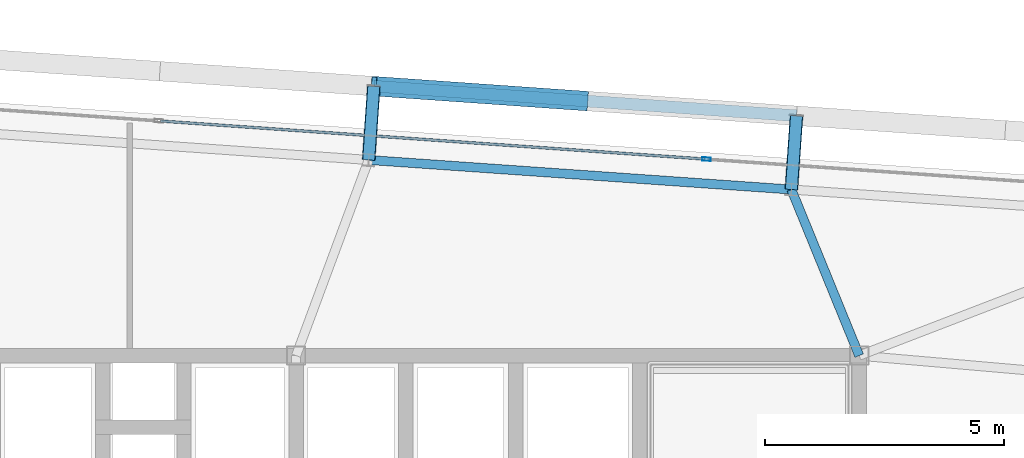
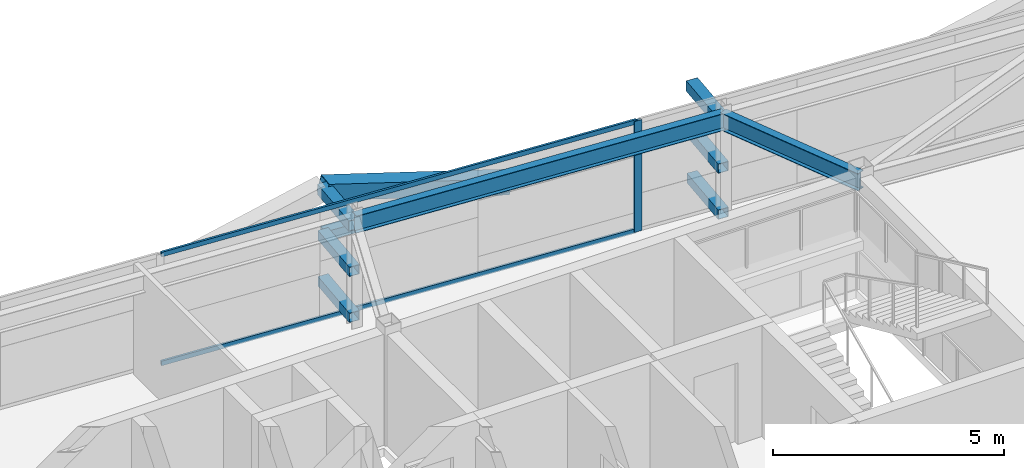
# One storey, part 23 of 39: 11 members, 2 beams, 1 element without a shape of its own.
"""IFC4 building model written with IfcOpenShell, lengths in metres."""

from ifc_helpers import new_model, si_unit, direction, frame, origin, origin_2d, place, context, subcontext, project, spatial, hollow_rectangle, i_section, extrude, source, transform, mapped, material, layer, layer_set, material_profile, profile_set, type_object, element, aggregate, save


model = new_model("IFC4")

# Units and contexts
model_context = context("Model", 3, precision=1e-05, world=origin(), true_north=direction((0.0, 1.0)))
body_context = subcontext(model_context, "Body", "Model", "MODEL_VIEW")
ifc_project = project(units=[si_unit("LENGTHUNIT", "METRE"), si_unit("AREAUNIT", "SQUARE_METRE"), si_unit("VOLUMEUNIT", "CUBIC_METRE"), si_unit("PLANEANGLEUNIT", "RADIAN"), si_unit("MASSUNIT", "GRAM", prefix="KILO")], contexts=[model_context])

# Site, building, storey
site_placement = place(None, origin())
site = spatial("IfcSite", under=ifc_project, at=site_placement, CompositionType="ELEMENT")
building_placement = place(site_placement, origin())
building = spatial("IfcBuilding", under=site, at=building_placement, Name="Taldren Reach Tower", CompositionType="ELEMENT")
storey_placement = place(building_placement, frame((0.0, 0.0, 120.39990234375)))
storey = spatial("IfcBuildingStorey", under=building, at=storey_placement, Name="L36", CompositionType="ELEMENT", Elevation=120.39990234375)

# Members
ifc_material_1 = material(Name="Steel Gr 450 (C450L0)", Category="steel")
ifc_material_profile_1 = material_profile(ifc_material_1, hollow_rectangle(XDim=0.27490234375, YDim=0.27490234375, WallThickness=0.00927734375, at=origin_2d()), Name="275x275x9.3SHS")
ifc_profile_set_1 = profile_set([ifc_material_profile_1], Name="Steel Gr 450 (C450L0)")
member_type_1 = type_object("IfcMemberType", Name="MB-TIE273", PredefinedType="STRUT", material=ifc_profile_set_1)
shared_shape_1 = source(origin(), body_context, "Body", "SweptSolid", [
    extrude(hollow_rectangle(XDim=0.27490234375, YDim=0.27490234375, WallThickness=0.00927734375, at=origin_2d()), origin(), (0.0, 0.0, 1.0), 1.550048828125),
])
for number, where, z_axis, x_axis, name in (
    (1, (40.7197265625, 36.100341796875, 2.650146484375), (0.06976957191, 0.99756313426, 0.0), (-0.99756313426, 0.06976957191, 0.0), "Exoskeleton diaphragm tie strut B3-N4 L36"),
    (2, (49.578125, 35.48095703125, 2.650146484375), (0.06976957191, 0.99756313426, 0.0), (-0.99756313426, 0.06976957191, 0.0), "Exoskeleton diaphragm tie strut B3-N5 L36"),
):
    element("IfcMember", number, at=place(storey_placement, frame(where, z_axis=z_axis, x_axis=x_axis)), inside=storey, type_object=member_type_1, Name=name, PredefinedType="STRUT", context=body_context, shape_type="MappedRepresentation", body=[
        mapped(shared_shape_1, transform((0.0, 0.0, 0.0), scale=1.0)),
    ])
ifc_material_2 = material(Name="Steel Gr 350 (C350L0)", Category="steel")
ifc_material_profile_2 = material_profile(ifc_material_2, hollow_rectangle(XDim=0.25, YDim=0.25, WallThickness=0.010009765625, at=origin_2d()), Name="250x250x10.0SHS")
ifc_profile_set_2 = profile_set([ifc_material_profile_2], Name="Steel Gr 350 (C350L0)")
member_type_2 = type_object("IfcMemberType", Name="MB-POST250", PredefinedType="POST", material=ifc_profile_set_2)
shared_shape_2 = source(origin(), body_context, "Body", "SweptSolid", [
    extrude(hollow_rectangle(XDim=0.25, YDim=0.25, WallThickness=0.010009765625, at=origin_2d()), origin(), (0.0, 0.0, 1.0), 1.550048828125),
])
for number, where, z_axis, x_axis, name in (
    (3, (40.7197265625, 36.100341796875, 0.22021484375), (0.06976957191, 0.99756313426, 0.0), (-0.99756313426, 0.06976957191, 0.0), "Exoskeleton base diaphragm tie strut B3-N4 L36"),
    (4, (49.578125, 35.48095703125, 0.22021484375), (0.06976957191, 0.99756313426, 0.0), (-0.99756313426, 0.06976957191, 0.0), "Exoskeleton base diaphragm tie strut B3-N5 L36"),
    (5, (40.7197265625, 36.100341796875, 1.43505859375), (0.06976957191, 0.99756313426, 0.0), (-0.99756313426, 0.06976957191, 0.0), "Exoskeleton mid-tier diaphragm tie B3-N4 L36"),
    (6, (49.578125, 35.48095703125, 1.43505859375), (0.06976957191, 0.99756313426, 0.0), (-0.99756313426, 0.06976957191, 0.0), "Exoskeleton mid-tier diaphragm tie B3-N5 L36"),
):
    element("IfcMember", number, at=place(storey_placement, frame(where, z_axis=z_axis, x_axis=x_axis)), inside=storey, type_object=member_type_2, Name=name, PredefinedType="POST", context=body_context, shape_type="MappedRepresentation", body=[
        mapped(shared_shape_2, transform((0.0, 0.0, 0.0), scale=1.0)),
    ])

# Beams
ifc_material_3 = material(Name="Steel Gr 350 (350PLUS)", Category="steel")
ifc_material_profile_3 = material_profile(ifc_material_3, i_section(OverallWidth=0.18994140625, OverallDepth=0.4541015625, WebThickness=0.008544921875, FlangeThickness=0.0126953125, at=origin_2d()), Name="460UB67.1")
ifc_profile_set_3 = profile_set([ifc_material_profile_3], Name="Steel Gr 350 (350PLUS)")
beam_type_1 = type_object("IfcBeamType", Name="SP-UB460B", PredefinedType="SPANDREL", material=ifc_profile_set_3)
shared_shape_3 = source(origin(), body_context, "Body", "SweptSolid", [
    extrude(i_section(OverallWidth=0.18994140625, OverallDepth=0.4541015625, WebThickness=0.008544921875, FlangeThickness=0.0126953125, at=origin_2d()), origin(), (0.0, 0.0, 1.0), 8.880126953125),
])
beam_1_placement = place(storey_placement, frame((49.578125, 35.48095703125, 2.703125), z_axis=(-0.997564479639, 0.069750333063, 0.0), x_axis=(-0.069750333063, -0.997564479639, 0.0)))
element("IfcBeam", 7, at=beam_1_placement, inside=storey, type_object=beam_type_1, Name="Perimeter spandrel B3 N5-N4 L36", PredefinedType="SPANDREL", context=body_context, shape_type="MappedRepresentation", body=[
    mapped(shared_shape_3, transform((0.0, 0.0, 0.0), scale=1.0)),
])
ifc_material_profile_4 = material_profile(ifc_material_3, i_section(OverallWidth=0.19091796875, OverallDepth=0.4599609375, WebThickness=0.010009765625, FlangeThickness=0.01611328125, at=origin_2d()), Name="460UB82.1")
ifc_profile_set_4 = profile_set([ifc_material_profile_4], Name="Steel Gr 350 (350PLUS)")
beam_type_2 = type_object("IfcBeamType", Name="BM-UB460A", PredefinedType="BEAM", material=ifc_profile_set_4)
shared_shape_4 = source(origin(), body_context, "Body", "SweptSolid", [
    extrude(i_section(OverallWidth=0.19091796875, OverallDepth=0.4599609375, WebThickness=0.010009765625, FlangeThickness=0.01611328125, at=origin_2d()), origin(), (0.0, 0.0, 1.0), 3.76025390625),
])
beam_2_placement = place(storey_placement, frame((51.0, 32.0, 2.7001953125), z_axis=(-0.37814232545, 0.925747471886, 0.0), x_axis=(-0.925747471886, -0.37814232545, 0.0)))
element("IfcBeam", 8, at=beam_2_placement, inside=storey, type_object=beam_type_2, Name="Primary floor girder B3-N5 L36", PredefinedType="BEAM", context=body_context, shape_type="MappedRepresentation", body=[
    mapped(shared_shape_4, transform((0.0, 0.0, 0.0), scale=1.0)),
])

# Members
shared_shape_5 = source(origin(), body_context, "Body", "SweptSolid", [
    extrude(hollow_rectangle(XDim=0.25, YDim=0.25, WallThickness=0.010009765625, at=origin_2d()), origin(), (0.0, 0.0, 1.0), 8.880126953125),
])
member_1_placement = place(storey_placement, frame((40.827880859375, 37.646728515625, 1.43505859375), z_axis=(0.997564479639, -0.069750333063, 0.0), x_axis=(0.069750333063, 0.997564479639, 0.0)))
element("IfcMember", 9, at=member_1_placement, inside=storey, type_object=member_type_2, Name="Exoskeleton mid-height ring chord B3-N4 L36", PredefinedType="POST", context=body_context, shape_type="MappedRepresentation", body=[
    mapped(shared_shape_5, transform((0.0, 0.0, 0.0), scale=1.0)),
])
ifc_material_profile_5 = material_profile(ifc_material_1, hollow_rectangle(XDim=0.409912109375, YDim=0.409912109375, WallThickness=0.01611328125, at=origin_2d()), Name="410x410x16.0SHS")
ifc_profile_set_5 = profile_set([ifc_material_profile_5], Name="Steel Gr 450 (C450L0)")
member_type_3 = type_object("IfcMemberType", Name="MB-EXO406", PredefinedType="BRACE", material=ifc_profile_set_5)
shared_shape_6 = source(origin(), body_context, "Body", "SweptSolid", [
    extrude(hollow_rectangle(XDim=0.409912109375, YDim=0.409912109375, WallThickness=0.01611328125, at=origin_2d()), origin(), (0.0, 0.0, 1.0), 4.603271484375),
])
member_2_placement = place(storey_placement, frame((45.257080078125, 37.3369140625, 1.43505859375), z_axis=(-0.962182351074, 0.067302910567, 0.263961060594), x_axis=(-0.06977769246, -0.997562566276, 0.0)))
element("IfcMember", 10, at=member_2_placement, inside=storey, type_object=member_type_3, Name="Exoskeleton Diagrid Brace B3-N4 L36", PredefinedType="BRACE", context=body_context, shape_type="MappedRepresentation", body=[
    mapped(shared_shape_6, transform((0.0, 0.0, 0.0), scale=1.0)),
])

# Curtain wall, members
ifc_material_4 = material(Name="Aluminium and Low-E Glass Unitised System", Category="aluminium")
ifc_layer = layer(ifc_material_4, 0.159912109375)
ifc_layer_set = layer_set([ifc_layer], Name="Aluminium and Low-E Glass Unitised System")
curtain_wall_type = type_object("IfcCurtainWallType", Name="CW-SYS-4", PredefinedType="NOTDEFINED", material=ifc_layer_set)
curtain_wall_placement = place(storey_placement, origin())
curtain_wall = element("IfcCurtainWall", 11, at=curtain_wall_placement, inside=storey, type_object=curtain_wall_type, Name="Unitised curtain wall CW-L36-N", PredefinedType="NOTDEFINED")
ifc_material_5 = material(Name="Anodised Aluminium 6063-T6", Category="aluminium")
ifc_material_profile_6 = material_profile(ifc_material_5, hollow_rectangle(XDim=0.070068359375, YDim=0.179931640625, WallThickness=0.00390625, at=origin_2d()), Name="ALU-180x70x4RHS")
ifc_profile_set_6 = profile_set([ifc_material_profile_6], Name="Anodised Aluminium 6063-T6")
member_type_4 = type_object("IfcMemberType", Name="CW-MUL-180", PredefinedType="MULLION", material=ifc_profile_set_6)
shared_shape_7 = source(origin(), body_context, "Body", "SweptSolid", [
    extrude(hollow_rectangle(XDim=0.070068359375, YDim=0.179931640625, WallThickness=0.00390625, at=origin_2d()), origin(), (0.0, 0.0, 1.0), 2.93017578125),
])
member_3_placement = place(storey_placement, frame((47.798095703125, 36.11669921875, 0.0), z_axis=(0.0, 0.0, 1.0), x_axis=(-0.06975651593, -0.99756404731, 0.0)))
member_3 = element("IfcMember", 12, at=member_3_placement, type_object=member_type_4, Name="CW-4 mullion 2", PredefinedType="MULLION", context=body_context, shape_type="MappedRepresentation", body=[
    mapped(shared_shape_7, transform((0.0, 0.0, 0.0), scale=1.0)),
])
ifc_material_profile_7 = material_profile(ifc_material_5, hollow_rectangle(XDim=0.054931640625, YDim=0.1201171875, WallThickness=0.0029296875, at=origin_2d()), Name="ALU-120x55x3RHS")
ifc_profile_set_7 = profile_set([ifc_material_profile_7], Name="Anodised Aluminium 6063-T6")
member_type_5 = type_object("IfcMemberType", Name="CW-TRN-135", PredefinedType="USERDEFINED", material=ifc_profile_set_7)
shared_shape_8 = source(origin(), body_context, "Body", "SweptSolid", [
    extrude(hollow_rectangle(XDim=0.054931640625, YDim=0.1201171875, WallThickness=0.0029296875, at=origin_2d()), origin(), (0.0, 0.0, 1.0), 11.429931640625),
])
member_4_placement = place(storey_placement, frame((47.76318359375, 36.119140625, 0.027587890625), z_axis=(-0.997563740938, 0.069760897114, 0.0), x_axis=(-0.069760897114, -0.997563740938, 0.0)))
member_4 = element("IfcMember", 13, at=member_4_placement, type_object=member_type_5, Name="CW-4 transom 2.1", ObjectType="TRANSOM", PredefinedType="USERDEFINED", context=body_context, shape_type="MappedRepresentation", body=[
    mapped(shared_shape_8, transform((0.0, 0.0, 0.0), scale=1.0)),
])
member_5_placement = place(storey_placement, frame((47.76318359375, 36.119140625, 2.902587890625), z_axis=(-0.997563740938, 0.069760897114, 0.0), x_axis=(-0.069760897114, -0.997563740938, 0.0)))
member_5 = element("IfcMember", 14, at=member_5_placement, type_object=member_type_5, Name="CW-4 transom 2.2", ObjectType="TRANSOM", PredefinedType="USERDEFINED", context=body_context, shape_type="MappedRepresentation", body=[
    mapped(shared_shape_8, transform((0.0, 0.0, 0.0), scale=1.0)),
])
aggregate(curtain_wall, [member_3, member_4, member_5])

save(model, "model.ifc")
